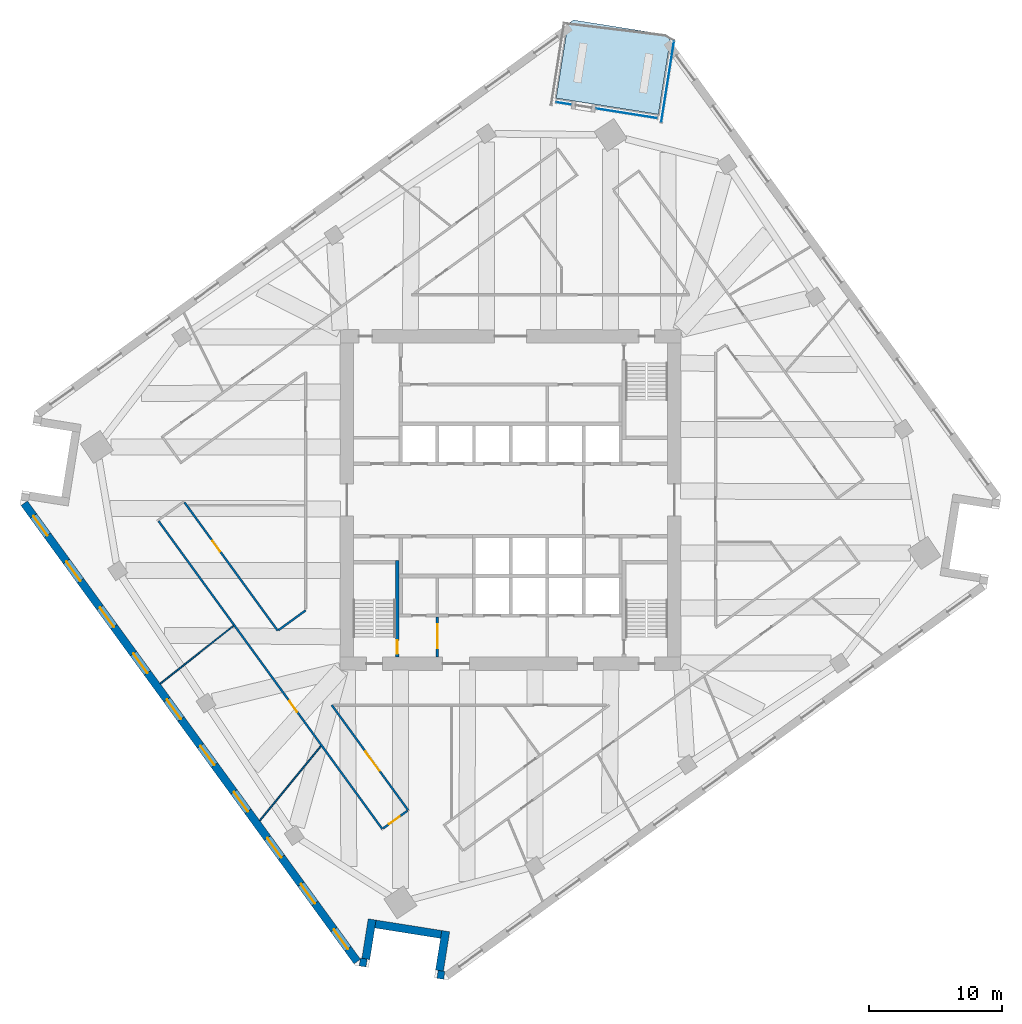
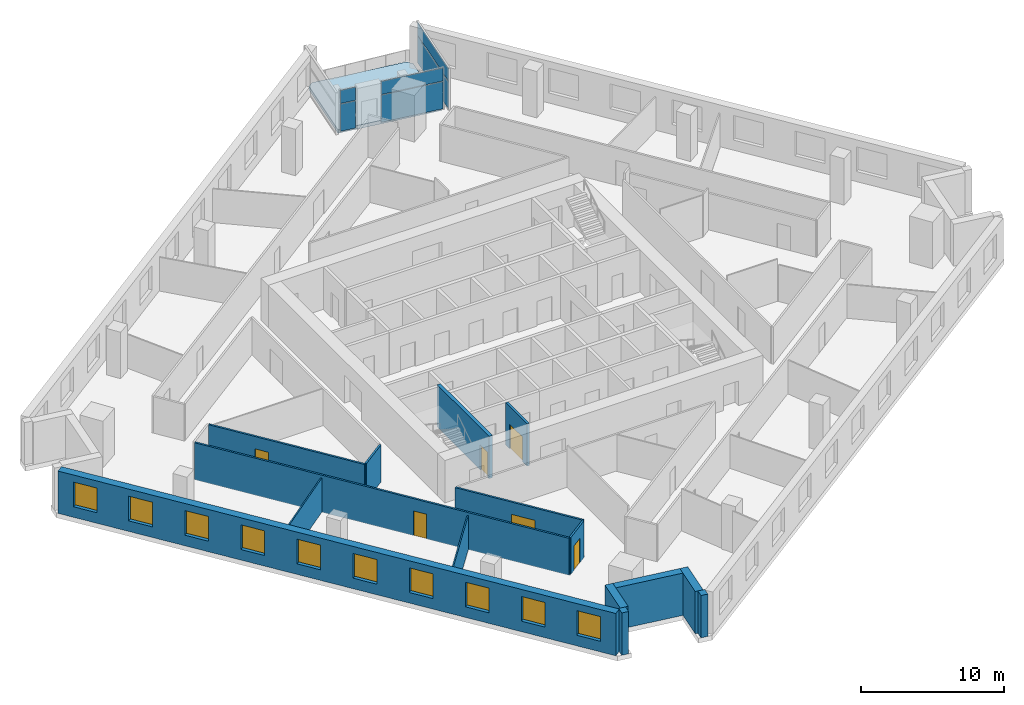
# One storey, part 4 of 11: 15 walls, 10 windows, 6 doors, 6 plates, 1 slab, 16 openings, 3 elements without a shape of their own.
"""IFC4 building model written with IfcOpenShell, lengths in metres."""

from ifc_helpers import new_model, si_unit, direction, frame, frame_2d, origin, origin_2d, place, context, subcontext, project, spatial, polyline, rectangle, outline, extrude, material, layer, layer_set, type_object, element, fill, aggregate, save


model = new_model("IFC4")

# Units and contexts
model_context = context("Model", 3, precision=1e-05, world=origin(), true_north=direction((0.0, 1.0)))
body_context = subcontext(model_context, "Body", "Model", "MODEL_VIEW")
ifc_project = project(units=[si_unit("LENGTHUNIT", "METRE"), si_unit("AREAUNIT", "SQUARE_METRE"), si_unit("VOLUMEUNIT", "CUBIC_METRE"), si_unit("PLANEANGLEUNIT", "RADIAN"), si_unit("MASSUNIT", "GRAM", prefix="KILO")], contexts=[model_context])

# Site, building, storey
site_placement = place(None, origin())
site = spatial("IfcSite", under=ifc_project, at=site_placement, CompositionType="ELEMENT")
building_placement = place(site_placement, origin())
building = spatial("IfcBuilding", under=site, at=building_placement, Name="Dilmun Exchange Tower", CompositionType="ELEMENT")
storey_placement = place(building_placement, frame((0.0, 0.0, 171.699951171875)))
storey = spatial("IfcBuildingStorey", under=building, at=storey_placement, Name="L40", CompositionType="ELEMENT", Elevation=171.699951171875)

# Curtain wall, plates
ifc_material_1 = material(Name="Anodised aluminium and clear glass", Category="aluminium")
curtain_wall_type = type_object("IfcCurtainWallType", Name="Garden corner glazing", PredefinedType="NOTDEFINED", material=ifc_material_1)
curtain_wall_1_placement = place(storey_placement, origin())
curtain_wall_1 = element("IfcCurtainWall", 1, at=curtain_wall_1_placement, inside=storey, type_object=curtain_wall_type, Name="Garden corner glazing run GC1.1", PredefinedType="NOTDEFINED")
ifc_material_2 = material(Name="Clear glass", Category="glass")
ifc_layer_1 = layer(ifc_material_2, 0.028076171875)
ifc_layer_set_1 = layer_set([ifc_layer_1], Name="Clear glass")
plate_type = type_object("IfcPlateType", Name="Garden corner glazing glass panel 28", PredefinedType="CURTAIN_PANEL", material=ifc_layer_set_1)
plate_1_placement = place(storey_placement, frame((11.79345703125, 31.410400390625, 0.06005859375), z_axis=(0.0, 0.0, 1.0), x_axis=(-0.15643936211, -0.987687564963, 0.0)))
plate_1 = element("IfcPlate", 2, at=plate_1_placement, type_object=plate_type, Name="GC1.1 panel 1.1", PredefinedType="CURTAIN_PANEL", context=body_context, shape_type="SweptSolid", body=[
    extrude(rectangle(XDim=6.12646484375, YDim=0.028076171875, at=origin_2d()), origin(), (0.0, 0.0, 1.0), 2.31005859375),
])
plate_2_placement = place(storey_placement, frame((11.79345703125, 31.410400390625, 2.43017578125), z_axis=(0.0, 0.0, 1.0), x_axis=(-0.15643936211, -0.987687564963, 0.0)))
plate_2 = element("IfcPlate", 3, at=plate_2_placement, type_object=plate_type, Name="GC1.1 panel 1.2", PredefinedType="CURTAIN_PANEL", context=body_context, shape_type="SweptSolid", body=[
    extrude(rectangle(XDim=6.12646484375, YDim=0.028076171875, at=origin_2d()), origin(), (0.0, 0.0, 1.0), 1.110107421875),
])
aggregate(curtain_wall_1, [plate_1, plate_2])

curtain_wall_2_placement = place(storey_placement, origin())
curtain_wall_2 = element("IfcCurtainWall", 4, at=curtain_wall_2_placement, inside=storey, type_object=curtain_wall_type, Name="Garden corner glazing run GC2.1", PredefinedType="NOTDEFINED")
plate_3_placement = place(storey_placement, frame((8.715087890625, 29.03955078125, 0.06005859375), z_axis=(0.0, 0.0, 1.0), x_axis=(-0.987690488636, 0.156420902238, 0.0)))
plate_3 = element("IfcPlate", 5, at=plate_3_placement, type_object=plate_type, Name="GC2.1 panel 1.1", PredefinedType="CURTAIN_PANEL", context=body_context, shape_type="SweptSolid", body=[
    extrude(rectangle(XDim=4.619140625, YDim=0.028076171875, at=origin_2d()), origin(), (0.0, 0.0, 1.0), 2.31005859375),
])
plate_4_placement = place(storey_placement, frame((8.715087890625, 29.03955078125, 2.43017578125), z_axis=(0.0, 0.0, 1.0), x_axis=(-0.987690488636, 0.156420902238, 0.0)))
plate_4 = element("IfcPlate", 6, at=plate_4_placement, type_object=plate_type, Name="GC2.1 panel 1.2", PredefinedType="CURTAIN_PANEL", context=body_context, shape_type="SweptSolid", body=[
    extrude(rectangle(XDim=4.619140625, YDim=0.028076171875, at=origin_2d()), origin(), (0.0, 0.0, 1.0), 1.110107421875),
])
aggregate(curtain_wall_2, [plate_3, plate_4])

curtain_wall_3_placement = place(storey_placement, origin())
curtain_wall_3 = element("IfcCurtainWall", 7, at=curtain_wall_3_placement, inside=storey, type_object=curtain_wall_type, Name="Garden corner glazing run GC2.3", PredefinedType="NOTDEFINED")
plate_5_placement = place(storey_placement, frame((3.985107421875, 29.78857421875, 0.06005859375), z_axis=(0.0, 0.0, 1.0), x_axis=(-0.987679719757, 0.156488885164, 0.0)))
plate_5 = element("IfcPlate", 8, at=plate_5_placement, type_object=plate_type, Name="GC2.3 panel 1.1", PredefinedType="CURTAIN_PANEL", context=body_context, shape_type="SweptSolid", body=[
    extrude(rectangle(XDim=1.119140625, YDim=0.028076171875, at=origin_2d()), origin(), (0.0, 0.0, 1.0), 2.31005859375),
])
plate_6_placement = place(storey_placement, frame((3.985107421875, 29.78857421875, 2.43017578125), z_axis=(0.0, 0.0, 1.0), x_axis=(-0.987679719757, 0.156488885164, 0.0)))
plate_6 = element("IfcPlate", 9, at=plate_6_placement, type_object=plate_type, Name="GC2.3 panel 1.2", PredefinedType="CURTAIN_PANEL", context=body_context, shape_type="SweptSolid", body=[
    extrude(rectangle(XDim=1.119140625, YDim=0.028076171875, at=origin_2d()), origin(), (0.0, 0.0, 1.0), 1.110107421875),
])
aggregate(curtain_wall_3, [plate_5, plate_6])

# Slab
ifc_material_3 = material(Name="Concrete C40/50", Category="concrete")
ifc_layer_2 = layer(ifc_material_3, 0.300048828125)
ifc_layer_set_2 = layer_set([ifc_layer_2], Name="Concrete C40/50")
slab_type = type_object("IfcSlabType", Name="RC garden terrace slab 300", PredefinedType="FLOOR", material=ifc_layer_set_2)
slab_placement = place(storey_placement, frame((0.0, 0.0, -0.300048828125)))
element("IfcSlab", 10, at=slab_placement, inside=storey, type_object=slab_type, Name="Garden terrace slab", PredefinedType="FLOOR", context=body_context, shape_type="SweptSolid", body=[
    extrude(outline(polyline([(3.420166015625, 30.181884765625), (4.303466796875, 35.7587890625), (4.7080078125, 36.052734375), (11.69189453125, 34.946533203125), (11.98583984375, 34.5419921875), (11.1025390625, 28.965087890625), (3.420166015625, 30.181884765625)])), origin(), (0.0, 0.0, 1.0), 0.300048828125),
])

# Wall, opening, door
ifc_layer_3 = layer(ifc_material_3, 0.199951171875)
ifc_layer_set_3 = layer_set([ifc_layer_3], Name="Concrete C40/50")
wall_type_1 = type_object("IfcWallType", Name="Core partition wall 200", PredefinedType="PARTITIONING", material=ifc_layer_set_3)
wall_1_placement = place(storey_placement, frame((-5.5, -11.794921875, 0.0), z_axis=(0.0, 0.0, 1.0), x_axis=(0.0, 1.0, 0.0)))
wall_1 = element("IfcWall", 11, at=wall_1_placement, inside=storey, type_object=wall_type_1, Name="L40 core partition wall 01", PredefinedType="PARTITIONING", context=body_context, shape_type="SweptSolid", body=[
    extrude(rectangle(XDim=2.989990234375, YDim=0.199951171875, at=frame_2d((1.4951171875, 0.0))), origin(), (0.0, 0.0, 1.0), 3.60009765625),
])
opening_1_placement = place(wall_1_placement, frame((0.657470703125, 0.0, 0.0)))
opening_1 = element("IfcOpeningElement", 12, at=opening_1_placement, cuts=wall_1, Name="Opening CD5", PredefinedType="OPENING", context=body_context, shape_type="SweptSolid", body=[
    extrude(rectangle(XDim=1.800048828125, YDim=2.10009765625, at=frame_2d((0.89990234375, 1.050048828125))), frame((0.0, 0.10986328125, 0.0), z_axis=(0.0, -1.0, 0.0), x_axis=(1.0, 0.0, 0.0)), (0.0, 0.0, 1.0), 0.219970703125),
])
ifc_material_4 = material(Name="Fire-rated steel door set", Category="steel")
door_type_1 = type_object("IfcDoorType", Name="Stair exit door 1800x2100", OperationType="SINGLE_SWING_LEFT", PredefinedType="DOOR", material=ifc_material_4)
door_1_placement = place(opening_1_placement, origin())
door_1 = element("IfcDoor", 13, at=door_1_placement, inside=storey, type_object=door_type_1, Name="L40 door Service lobby east", OperationType="SINGLE_SWING_LEFT", OverallHeight=2.10009765625, OverallWidth=1.800048828125, PredefinedType="DOOR", context=body_context, shape_type="SweptSolid", body=[
    extrude(rectangle(XDim=1.800048828125, YDim=2.10009765625, at=frame_2d((0.89990234375, 1.050048828125))), frame((0.0, 0.02490234375, 0.0), z_axis=(0.0, -1.0, 0.0), x_axis=(1.0, 0.0, 0.0)), (0.0, 0.0, 1.0), 0.050048828125),
])
fill(opening_1, door_1)

ifc_material_5 = material(Name="Corridor wall 150")
ifc_layer_4 = layer(ifc_material_5, 0.14990234375)
ifc_layer_set_4 = layer_set([ifc_layer_4], Name="Corridor wall 150")
wall_type_2 = type_object("IfcWallType", Name="Corridor wall 150", PredefinedType="PARTITIONING", material=ifc_layer_set_4)
wall_2_placement = place(storey_placement, frame((-26.43701171875, -1.588623046875, 0.0), z_axis=(0.0, 0.0, 1.0), x_axis=(0.587768879666, -0.809028889531, 0.0)))
wall_2 = element("IfcWall", 14, at=wall_2_placement, inside=storey, type_object=wall_type_2, Name="Corridor wall", PredefinedType="PARTITIONING", context=body_context, shape_type="SweptSolid", body=[
    extrude(rectangle(XDim=28.582763671875, YDim=0.14990234375, at=frame_2d((14.29150390625, 0.0))), origin(), (0.0, 0.0, 1.0), 3.150146484375),
])
opening_2_placement = place(wall_2_placement, frame((16.7109375, 0.0, 0.0)))
opening_2 = element("IfcOpeningElement", 15, at=opening_2_placement, cuts=wall_2, Name="Opening TF38-D03", PredefinedType="OPENING", context=body_context, shape_type="SweptSolid", body=[
    extrude(rectangle(XDim=1.0, YDim=2.10009765625, at=frame_2d((0.5, 1.050048828125))), frame((0.0, 0.0849609375, 0.0), z_axis=(0.0, -1.0, 0.0), x_axis=(1.0, 0.0, 0.0)), (0.0, 0.0, 1.0), 0.169921875),
])
ifc_material_6 = material(Name="Fire door 1000 x 2100")
door_type_2 = type_object("IfcDoorType", Name="Fire door 1000 x 2100", OperationType="NOTDEFINED", PredefinedType="DOOR", material=ifc_material_6)
door_2_placement = place(opening_2_placement, frame((1.0, 0.0, 0.0), z_axis=(0.0, 0.0, 1.0), x_axis=(-1.0, 0.0, 0.0)))
door_2 = element("IfcDoor", 16, at=door_2_placement, inside=storey, type_object=door_type_2, Name="Door TF38-D03", OperationType="SINGLE_SWING_LEFT", OverallHeight=2.10009765625, OverallWidth=1.0, PredefinedType="DOOR", context=body_context, shape_type="SweptSolid", body=[
    extrude(rectangle(XDim=1.0, YDim=2.10009765625, at=frame_2d((0.5, 1.050048828125))), frame((0.0, 0.02490234375, 0.0), z_axis=(0.0, -1.0, 0.0), x_axis=(1.0, 0.0, 0.0)), (0.0, 0.0, 1.0), 0.050048828125),
])
fill(opening_2, door_2)

wall_3_placement = place(storey_placement, frame((-24.494873046875, -0.1787109375, 0.0), z_axis=(0.0, 0.0, 1.0), x_axis=(0.587806096184, -0.809001849991, 0.0)))
wall_3 = element("IfcWall", 17, at=wall_3_placement, inside=storey, type_object=wall_type_2, Name="Corridor wall", PredefinedType="PARTITIONING", context=body_context, shape_type="SweptSolid", body=[
    extrude(rectangle(XDim=11.91357421875, YDim=0.14990234375, at=frame_2d((5.956787109375, 0.0))), origin(), (0.0, 0.0, 1.0), 3.150146484375),
])
opening_3_placement = place(wall_3_placement, frame((3.567626953125, 0.0, 0.0)))
opening_3 = element("IfcOpeningElement", 18, at=opening_3_placement, cuts=wall_3, Name="Opening TF38-D05", PredefinedType="OPENING", context=body_context, shape_type="SweptSolid", body=[
    extrude(rectangle(XDim=1.0, YDim=2.10009765625, at=frame_2d((0.5, 1.050048828125))), frame((0.0, 0.0849609375, 0.0), z_axis=(0.0, -1.0, 0.0), x_axis=(1.0, 0.0, 0.0)), (0.0, 0.0, 1.0), 0.169921875),
])
door_3_placement = place(opening_3_placement, origin())
door_3 = element("IfcDoor", 19, at=door_3_placement, inside=storey, type_object=door_type_2, Name="Door TF38-D05", OperationType="SINGLE_SWING_RIGHT", OverallHeight=2.10009765625, OverallWidth=1.0, PredefinedType="DOOR", context=body_context, shape_type="SweptSolid", body=[
    extrude(rectangle(XDim=1.0, YDim=2.10009765625, at=frame_2d((0.5, 1.050048828125))), frame((0.0, 0.02490234375, 0.0), z_axis=(0.0, -1.0, 0.0), x_axis=(1.0, 0.0, 0.0)), (0.0, 0.0, 1.0), 0.050048828125),
])
fill(opening_3, door_3)

# Wall
wall_4_placement = place(storey_placement, frame((-17.431396484375, -9.77294921875, 0.0), z_axis=(0.0, 0.0, 1.0), x_axis=(0.809042902641, 0.587749590971, 0.0)))
element("IfcWall", 20, at=wall_4_placement, inside=storey, type_object=wall_type_2, Name="Corridor wall", PredefinedType="PARTITIONING", context=body_context, shape_type="SweptSolid", body=[
    extrude(rectangle(XDim=2.510986328125, YDim=0.14990234375, at=frame_2d((1.25537109375, 0.0))), origin(), (0.0, 0.0, 1.0), 3.150146484375),
])

# Wall, opening, door
wall_5_placement = place(storey_placement, frame((-13.43603515625, -15.39990234375, 0.0), z_axis=(0.0, 0.0, 1.0), x_axis=(0.58776885963, -0.809028904088, 0.0)))
wall_5 = element("IfcWall", 21, at=wall_5_placement, inside=storey, type_object=wall_type_2, Name="Corridor wall", PredefinedType="PARTITIONING", context=body_context, shape_type="SweptSolid", body=[
    extrude(rectangle(XDim=9.767333984375, YDim=0.14990234375, at=frame_2d((4.8837890625, 0.0))), origin(), (0.0, 0.0, 1.0), 3.150146484375),
])
opening_4_placement = place(wall_5_placement, frame((4.300048828125, 0.0, 0.0)))
opening_4 = element("IfcOpeningElement", 22, at=opening_4_placement, cuts=wall_5, Name="Opening TF38-D07", PredefinedType="OPENING", context=body_context, shape_type="SweptSolid", body=[
    extrude(rectangle(XDim=1.800048828125, YDim=2.10009765625, at=frame_2d((0.89990234375, 1.050048828125))), frame((0.0, 0.0849609375, 0.0), z_axis=(0.0, -1.0, 0.0), x_axis=(1.0, 0.0, 0.0)), (0.0, 0.0, 1.0), 0.169921875),
])
ifc_material_7 = material(Name="Fire door pair 1800 x 2100")
door_type_3 = type_object("IfcDoorType", Name="Fire door pair 1800 x 2100", OperationType="NOTDEFINED", PredefinedType="DOOR", material=ifc_material_7)
door_4_placement = place(opening_4_placement, origin())
door_4 = element("IfcDoor", 23, at=door_4_placement, inside=storey, type_object=door_type_3, Name="Door TF38-D07", OperationType="DOUBLE_DOOR_SINGLE_SWING", OverallHeight=2.10009765625, OverallWidth=1.800048828125, PredefinedType="DOOR", context=body_context, shape_type="SweptSolid", body=[
    extrude(rectangle(XDim=1.800048828125, YDim=2.10009765625, at=frame_2d((0.89990234375, 1.050048828125))), frame((0.0, 0.02490234375, 0.0), z_axis=(0.0, -1.0, 0.0), x_axis=(1.0, 0.0, 0.0)), (0.0, 0.0, 1.0), 0.050048828125),
])
fill(opening_4, door_4)

wall_6_placement = place(storey_placement, frame((-9.576416015625, -24.6689453125, 0.0), z_axis=(0.0, 0.0, 1.0), x_axis=(0.809045580708, 0.587745904569, 0.0)))
wall_6 = element("IfcWall", 24, at=wall_6_placement, inside=storey, type_object=wall_type_2, Name="Corridor wall", PredefinedType="PARTITIONING", context=body_context, shape_type="SweptSolid", body=[
    extrude(rectangle(XDim=2.25048828125, YDim=0.14990234375, at=frame_2d((1.125244140625, 0.0))), origin(), (0.0, 0.0, 1.0), 3.150146484375),
])
opening_5_placement = place(wall_6_placement, frame((0.550048828125, 0.0, 0.0)))
opening_5 = element("IfcOpeningElement", 25, at=opening_5_placement, cuts=wall_6, Name="Opening TF38-D08", PredefinedType="OPENING", context=body_context, shape_type="SweptSolid", body=[
    extrude(rectangle(XDim=1.0, YDim=2.10009765625, at=frame_2d((0.5, 1.050048828125))), frame((0.0, 0.0849609375, 0.0), z_axis=(0.0, -1.0, 0.0), x_axis=(1.0, 0.0, 0.0)), (0.0, 0.0, 1.0), 0.169921875),
])
door_5_placement = place(opening_5_placement, frame((1.0, 0.0, 0.0), z_axis=(0.0, 0.0, 1.0), x_axis=(-1.0, 0.0, 0.0)))
door_5 = element("IfcDoor", 26, at=door_5_placement, inside=storey, type_object=door_type_2, Name="Door TF38-D08", OperationType="SINGLE_SWING_LEFT", OverallHeight=2.10009765625, OverallWidth=1.0, PredefinedType="DOOR", context=body_context, shape_type="SweptSolid", body=[
    extrude(rectangle(XDim=1.0, YDim=2.10009765625, at=frame_2d((0.5, 1.050048828125))), frame((0.0, 0.02490234375, 0.0), z_axis=(0.0, -1.0, 0.0), x_axis=(1.0, 0.0, 0.0)), (0.0, 0.0, 1.0), 0.050048828125),
])
fill(opening_5, door_5)

# Walls
ifc_material_8 = material(Name="Partition 100")
ifc_layer_5 = layer(ifc_material_8, 0.10009765625)
ifc_layer_set_5 = layer_set([ifc_layer_5], Name="Partition 100")
wall_type_3 = type_object("IfcWallType", Name="Partition 100", PredefinedType="PARTITIONING", material=ifc_layer_set_5)
wall_7_placement = place(storey_placement, frame((-26.3134765625, -13.79736328125, 0.0), z_axis=(0.0, 0.0, 1.0), x_axis=(0.784436491328, 0.620209151072, 0.0)))
element("IfcWall", 27, at=wall_7_placement, inside=storey, type_object=wall_type_3, Name="Partition", PredefinedType="PARTITIONING", context=body_context, shape_type="SweptSolid", body=[
    extrude(rectangle(XDim=7.0048828125, YDim=0.10009765625, at=frame_2d((3.50244140625, 0.0))), origin(), (0.0, 0.0, 1.0), 2.900146484375),
])
wall_8_placement = place(storey_placement, frame((-18.84228515625, -24.080810546875, 0.0), z_axis=(0.0, 0.0, 1.0), x_axis=(0.634911726152, 0.772584687911, 0.0)))
element("IfcWall", 28, at=wall_8_placement, inside=storey, type_object=wall_type_3, Name="Partition", PredefinedType="PARTITIONING", context=body_context, shape_type="SweptSolid", body=[
    extrude(rectangle(XDim=7.220947265625, YDim=0.10009765625, at=frame_2d((3.6103515625, 0.0))), origin(), (0.0, 0.0, 1.0), 2.900146484375),
])

# Wall, openings, windows
ifc_material_9 = material(Name="Precast concrete C50/60", Category="concrete")
ifc_layer_6 = layer(ifc_material_9, 0.60009765625)
ifc_layer_set_6 = layer_set([ifc_layer_6], Name="Precast concrete C50/60")
wall_type_4 = type_object("IfcWallType", Name="Precast stone-clad wall 600", PredefinedType="STANDARD", material=ifc_layer_set_6)
wall_9_placement = place(storey_placement, frame((-36.533447265625, -0.244873046875, 0.0), z_axis=(0.0, 0.0, 1.0), x_axis=(0.587787495615, -0.809015364501, 0.0)))
wall_9 = element("IfcWall", 29, at=wall_9_placement, inside=storey, type_object=wall_type_4, Name="Facade wall L40-09", PredefinedType="STANDARD", context=body_context, shape_type="SweptSolid", body=[
    extrude(rectangle(XDim=42.551513671875, YDim=0.60009765625, at=frame_2d((21.27587890625, 0.0))), origin(), (0.0, 0.0, 1.0), 3.60009765625),
])
opening_6_placement = place(wall_9_placement, frame((1.177978515625, 0.0, 0.89990234375)))
opening_6 = element("IfcOpeningElement", 30, at=opening_6_placement, cuts=wall_9, Name="Opening W180-210", PredefinedType="OPENING", context=body_context, shape_type="SweptSolid", body=[
    extrude(rectangle(XDim=1.800048828125, YDim=2.10009765625, at=frame_2d((0.89990234375, 1.050048828125))), frame((0.0, 0.31005859375, 0.0), z_axis=(0.0, -1.0, 0.0), x_axis=(1.0, 0.0, 0.0)), (0.0, 0.0, 1.0), 0.6201171875),
])
opening_7_placement = place(wall_9_placement, frame((5.395751953125, 0.0, 0.89990234375)))
opening_7 = element("IfcOpeningElement", 31, at=opening_7_placement, cuts=wall_9, Name="Opening W180-210", PredefinedType="OPENING", context=body_context, shape_type="SweptSolid", body=[
    extrude(rectangle(XDim=1.800048828125, YDim=2.10009765625, at=frame_2d((0.89990234375, 1.050048828125))), frame((0.0, 0.31005859375, 0.0), z_axis=(0.0, -1.0, 0.0), x_axis=(1.0, 0.0, 0.0)), (0.0, 0.0, 1.0), 0.6201171875),
])
opening_8_placement = place(wall_9_placement, frame((9.67578125, 0.0, 0.89990234375)))
opening_8 = element("IfcOpeningElement", 32, at=opening_8_placement, cuts=wall_9, Name="Opening W180-210", PredefinedType="OPENING", context=body_context, shape_type="SweptSolid", body=[
    extrude(rectangle(XDim=1.800048828125, YDim=2.10009765625, at=frame_2d((0.89990234375, 1.050048828125))), frame((0.0, 0.31005859375, 0.0), z_axis=(0.0, -1.0, 0.0), x_axis=(1.0, 0.0, 0.0)), (0.0, 0.0, 1.0), 0.6201171875),
])
opening_9_placement = place(wall_9_placement, frame((13.955810546875, 0.0, 0.89990234375)))
opening_9 = element("IfcOpeningElement", 33, at=opening_9_placement, cuts=wall_9, Name="Opening W180-210", PredefinedType="OPENING", context=body_context, shape_type="SweptSolid", body=[
    extrude(rectangle(XDim=1.800048828125, YDim=2.10009765625, at=frame_2d((0.89990234375, 1.050048828125))), frame((0.0, 0.31005859375, 0.0), z_axis=(0.0, -1.0, 0.0), x_axis=(1.0, 0.0, 0.0)), (0.0, 0.0, 1.0), 0.6201171875),
])
opening_10_placement = place(wall_9_placement, frame((18.235595703125, 0.0, 0.89990234375)))
opening_10 = element("IfcOpeningElement", 34, at=opening_10_placement, cuts=wall_9, Name="Opening W180-210", PredefinedType="OPENING", context=body_context, shape_type="SweptSolid", body=[
    extrude(rectangle(XDim=1.800048828125, YDim=2.10009765625, at=frame_2d((0.89990234375, 1.050048828125))), frame((0.0, 0.31005859375, 0.0), z_axis=(0.0, -1.0, 0.0), x_axis=(1.0, 0.0, 0.0)), (0.0, 0.0, 1.0), 0.6201171875),
])
opening_11_placement = place(wall_9_placement, frame((22.515625, 0.0, 0.89990234375)))
opening_11 = element("IfcOpeningElement", 35, at=opening_11_placement, cuts=wall_9, Name="Opening W180-210", PredefinedType="OPENING", context=body_context, shape_type="SweptSolid", body=[
    extrude(rectangle(XDim=1.800048828125, YDim=2.10009765625, at=frame_2d((0.89990234375, 1.050048828125))), frame((0.0, 0.31005859375, 0.0), z_axis=(0.0, -1.0, 0.0), x_axis=(1.0, 0.0, 0.0)), (0.0, 0.0, 1.0), 0.6201171875),
])
opening_12_placement = place(wall_9_placement, frame((26.795654296875, 0.0, 0.89990234375)))
opening_12 = element("IfcOpeningElement", 36, at=opening_12_placement, cuts=wall_9, Name="Opening W180-210", PredefinedType="OPENING", context=body_context, shape_type="SweptSolid", body=[
    extrude(rectangle(XDim=1.800048828125, YDim=2.10009765625, at=frame_2d((0.89990234375, 1.050048828125))), frame((0.0, 0.31005859375, 0.0), z_axis=(0.0, -1.0, 0.0), x_axis=(1.0, 0.0, 0.0)), (0.0, 0.0, 1.0), 0.6201171875),
])
opening_13_placement = place(wall_9_placement, frame((31.07568359375, 0.0, 0.89990234375)))
opening_13 = element("IfcOpeningElement", 37, at=opening_13_placement, cuts=wall_9, Name="Opening W180-210", PredefinedType="OPENING", context=body_context, shape_type="SweptSolid", body=[
    extrude(rectangle(XDim=1.800048828125, YDim=2.10009765625, at=frame_2d((0.89990234375, 1.050048828125))), frame((0.0, 0.31005859375, 0.0), z_axis=(0.0, -1.0, 0.0), x_axis=(1.0, 0.0, 0.0)), (0.0, 0.0, 1.0), 0.6201171875),
])
opening_14_placement = place(wall_9_placement, frame((35.355712890625, 0.0, 0.89990234375)))
opening_14 = element("IfcOpeningElement", 38, at=opening_14_placement, cuts=wall_9, Name="Opening W180-210", PredefinedType="OPENING", context=body_context, shape_type="SweptSolid", body=[
    extrude(rectangle(XDim=1.800048828125, YDim=2.10009765625, at=frame_2d((0.89990234375, 1.050048828125))), frame((0.0, 0.31005859375, 0.0), z_axis=(0.0, -1.0, 0.0), x_axis=(1.0, 0.0, 0.0)), (0.0, 0.0, 1.0), 0.6201171875),
])
opening_15_placement = place(wall_9_placement, frame((39.573486328125, 0.0, 0.89990234375)))
opening_15 = element("IfcOpeningElement", 39, at=opening_15_placement, cuts=wall_9, Name="Opening W180-210", PredefinedType="OPENING", context=body_context, shape_type="SweptSolid", body=[
    extrude(rectangle(XDim=1.800048828125, YDim=2.10009765625, at=frame_2d((0.89990234375, 1.050048828125))), frame((0.0, 0.31005859375, 0.0), z_axis=(0.0, -1.0, 0.0), x_axis=(1.0, 0.0, 0.0)), (0.0, 0.0, 1.0), 0.6201171875),
])
ifc_material_10 = material(Name="Clear low-emissivity glass in aluminium frame", Category="aluminium")
window_type = type_object("IfcWindowType", Name="Punched window 1800 x 2100", PartitioningType="DOUBLE_PANEL_VERTICAL", PredefinedType="WINDOW", material=ifc_material_10)
window_1_placement = place(opening_6_placement, origin())
window_1 = element("IfcWindow", 40, at=window_1_placement, inside=storey, type_object=window_type, Name="Window 10.1", OverallHeight=2.10009765625, OverallWidth=1.800048828125, PartitioningType="SINGLE_PANEL", PredefinedType="WINDOW", context=body_context, shape_type="SweptSolid", body=[
    extrude(rectangle(XDim=1.800048828125, YDim=2.10009765625, at=frame_2d((0.89990234375, 1.050048828125))), frame((0.0, 0.030029296875, 0.0), z_axis=(0.0, -1.0, 0.0), x_axis=(1.0, 0.0, 0.0)), (0.0, 0.0, 1.0), 0.06005859375),
])
fill(opening_6, window_1)
window_2_placement = place(opening_7_placement, origin())
window_2 = element("IfcWindow", 41, at=window_2_placement, inside=storey, type_object=window_type, Name="Window 10.2", OverallHeight=2.10009765625, OverallWidth=1.800048828125, PartitioningType="SINGLE_PANEL", PredefinedType="WINDOW", context=body_context, shape_type="SweptSolid", body=[
    extrude(rectangle(XDim=1.800048828125, YDim=2.10009765625, at=frame_2d((0.89990234375, 1.050048828125))), frame((0.0, 0.030029296875, 0.0), z_axis=(0.0, -1.0, 0.0), x_axis=(1.0, 0.0, 0.0)), (0.0, 0.0, 1.0), 0.06005859375),
])
fill(opening_7, window_2)
window_3_placement = place(opening_8_placement, origin())
window_3 = element("IfcWindow", 42, at=window_3_placement, inside=storey, type_object=window_type, Name="Window 10.3", OverallHeight=2.10009765625, OverallWidth=1.800048828125, PartitioningType="SINGLE_PANEL", PredefinedType="WINDOW", context=body_context, shape_type="SweptSolid", body=[
    extrude(rectangle(XDim=1.800048828125, YDim=2.10009765625, at=frame_2d((0.89990234375, 1.050048828125))), frame((0.0, 0.030029296875, 0.0), z_axis=(0.0, -1.0, 0.0), x_axis=(1.0, 0.0, 0.0)), (0.0, 0.0, 1.0), 0.06005859375),
])
fill(opening_8, window_3)
window_4_placement = place(opening_9_placement, origin())
window_4 = element("IfcWindow", 43, at=window_4_placement, inside=storey, type_object=window_type, Name="Window 10.4", OverallHeight=2.10009765625, OverallWidth=1.800048828125, PartitioningType="SINGLE_PANEL", PredefinedType="WINDOW", context=body_context, shape_type="SweptSolid", body=[
    extrude(rectangle(XDim=1.800048828125, YDim=2.10009765625, at=frame_2d((0.89990234375, 1.050048828125))), frame((0.0, 0.030029296875, 0.0), z_axis=(0.0, -1.0, 0.0), x_axis=(1.0, 0.0, 0.0)), (0.0, 0.0, 1.0), 0.06005859375),
])
fill(opening_9, window_4)
window_5_placement = place(opening_10_placement, origin())
window_5 = element("IfcWindow", 44, at=window_5_placement, inside=storey, type_object=window_type, Name="Window 10.5", OverallHeight=2.10009765625, OverallWidth=1.800048828125, PartitioningType="SINGLE_PANEL", PredefinedType="WINDOW", context=body_context, shape_type="SweptSolid", body=[
    extrude(rectangle(XDim=1.800048828125, YDim=2.10009765625, at=frame_2d((0.89990234375, 1.050048828125))), frame((0.0, 0.030029296875, 0.0), z_axis=(0.0, -1.0, 0.0), x_axis=(1.0, 0.0, 0.0)), (0.0, 0.0, 1.0), 0.06005859375),
])
fill(opening_10, window_5)
window_6_placement = place(opening_11_placement, origin())
window_6 = element("IfcWindow", 45, at=window_6_placement, inside=storey, type_object=window_type, Name="Window 10.6", OverallHeight=2.10009765625, OverallWidth=1.800048828125, PartitioningType="SINGLE_PANEL", PredefinedType="WINDOW", context=body_context, shape_type="SweptSolid", body=[
    extrude(rectangle(XDim=1.800048828125, YDim=2.10009765625, at=frame_2d((0.89990234375, 1.050048828125))), frame((0.0, 0.030029296875, 0.0), z_axis=(0.0, -1.0, 0.0), x_axis=(1.0, 0.0, 0.0)), (0.0, 0.0, 1.0), 0.06005859375),
])
fill(opening_11, window_6)
window_7_placement = place(opening_12_placement, origin())
window_7 = element("IfcWindow", 46, at=window_7_placement, inside=storey, type_object=window_type, Name="Window 10.7", OverallHeight=2.10009765625, OverallWidth=1.800048828125, PartitioningType="SINGLE_PANEL", PredefinedType="WINDOW", context=body_context, shape_type="SweptSolid", body=[
    extrude(rectangle(XDim=1.800048828125, YDim=2.10009765625, at=frame_2d((0.89990234375, 1.050048828125))), frame((0.0, 0.030029296875, 0.0), z_axis=(0.0, -1.0, 0.0), x_axis=(1.0, 0.0, 0.0)), (0.0, 0.0, 1.0), 0.06005859375),
])
fill(opening_12, window_7)
window_8_placement = place(opening_13_placement, origin())
window_8 = element("IfcWindow", 47, at=window_8_placement, inside=storey, type_object=window_type, Name="Window 10.8", OverallHeight=2.10009765625, OverallWidth=1.800048828125, PartitioningType="SINGLE_PANEL", PredefinedType="WINDOW", context=body_context, shape_type="SweptSolid", body=[
    extrude(rectangle(XDim=1.800048828125, YDim=2.10009765625, at=frame_2d((0.89990234375, 1.050048828125))), frame((0.0, 0.030029296875, 0.0), z_axis=(0.0, -1.0, 0.0), x_axis=(1.0, 0.0, 0.0)), (0.0, 0.0, 1.0), 0.06005859375),
])
fill(opening_13, window_8)
window_9_placement = place(opening_14_placement, origin())
window_9 = element("IfcWindow", 48, at=window_9_placement, inside=storey, type_object=window_type, Name="Window 10.9", OverallHeight=2.10009765625, OverallWidth=1.800048828125, PartitioningType="SINGLE_PANEL", PredefinedType="WINDOW", context=body_context, shape_type="SweptSolid", body=[
    extrude(rectangle(XDim=1.800048828125, YDim=2.10009765625, at=frame_2d((0.89990234375, 1.050048828125))), frame((0.0, 0.030029296875, 0.0), z_axis=(0.0, -1.0, 0.0), x_axis=(1.0, 0.0, 0.0)), (0.0, 0.0, 1.0), 0.06005859375),
])
fill(opening_14, window_9)
window_10_placement = place(opening_15_placement, origin())
window_10 = element("IfcWindow", 49, at=window_10_placement, inside=storey, type_object=window_type, Name="Window 10.10", OverallHeight=2.10009765625, OverallWidth=1.800048828125, PartitioningType="SINGLE_PANEL", PredefinedType="WINDOW", context=body_context, shape_type="SweptSolid", body=[
    extrude(rectangle(XDim=1.800048828125, YDim=2.10009765625, at=frame_2d((0.89990234375, 1.050048828125))), frame((0.0, 0.030029296875, 0.0), z_axis=(0.0, -1.0, 0.0), x_axis=(1.0, 0.0, 0.0)), (0.0, 0.0, 1.0), 0.06005859375),
])
fill(opening_15, window_10)

# Walls
wall_10_placement = place(storey_placement, frame((-11.32470703125, -34.700927734375, 0.0), z_axis=(0.0, 0.0, 1.0), x_axis=(0.987666012258, -0.156575375554, 0.0)))
element("IfcWall", 50, at=wall_10_placement, inside=storey, type_object=wall_type_4, Name="Facade wall L40-10", PredefinedType="STANDARD", context=body_context, shape_type="SweptSolid", body=[
    extrude(rectangle(XDim=0.511474609375, YDim=0.60009765625, at=frame_2d((0.255859375, 0.0))), origin(), (0.0, 0.0, 1.0), 3.60009765625),
])
wall_11_placement = place(storey_placement, frame((-10.87158203125, -34.468994140625, 0.0), z_axis=(0.0, 0.0, 1.0), x_axis=(0.156409699997, 0.987692262674, 0.0)))
element("IfcWall", 51, at=wall_11_placement, inside=storey, type_object=wall_type_4, Name="Facade wall L40-11", PredefinedType="STANDARD", context=body_context, shape_type="SweptSolid", body=[
    extrude(rectangle(XDim=3.0, YDim=0.60009765625, at=frame_2d((1.5, 0.0))), origin(), (0.0, 0.0, 1.0), 3.60009765625),
])
wall_12_placement = place(storey_placement, frame((-10.15283203125, -31.84912109375, 0.0), z_axis=(0.0, 0.0, 1.0), x_axis=(0.987686835152, -0.156443969736, 0.0)))
element("IfcWall", 52, at=wall_12_placement, inside=storey, type_object=wall_type_4, Name="Facade wall L40-12", PredefinedType="STANDARD", context=body_context, shape_type="SweptSolid", body=[
    extrude(rectangle(XDim=5.0, YDim=0.60009765625, at=frame_2d((2.5, 0.0))), origin(), (0.0, 0.0, 1.0), 3.60009765625),
])
wall_13_placement = place(storey_placement, frame((-4.87109375, -32.3818359375, 0.0), z_axis=(0.0, 0.0, 1.0), x_axis=(-0.156489086251, -0.987679687897, 0.0)))
element("IfcWall", 53, at=wall_13_placement, inside=storey, type_object=wall_type_4, Name="Facade wall L40-13", PredefinedType="STANDARD", context=body_context, shape_type="SweptSolid", body=[
    extrude(rectangle(XDim=3.0, YDim=0.60009765625, at=frame_2d((1.5, 0.0))), origin(), (0.0, 0.0, 1.0), 3.60009765625),
])
wall_14_placement = place(storey_placement, frame((-5.486083984375, -35.625732421875, 0.0), z_axis=(0.0, 0.0, 1.0), x_axis=(0.987728086963, -0.156183309689, 0.0)))
element("IfcWall", 54, at=wall_14_placement, inside=storey, type_object=wall_type_4, Name="Facade wall L40-14", PredefinedType="STANDARD", context=body_context, shape_type="SweptSolid", body=[
    extrude(rectangle(XDim=0.51123046875, YDim=0.60009765625, at=frame_2d((0.255615234375, 0.0))), origin(), (0.0, 0.0, 1.0), 3.60009765625),
])

# Wall, opening, door
ifc_layer_7 = layer(ifc_material_3, 0.27490234375)
ifc_layer_set_7 = layer_set([ifc_layer_7], Name="Concrete C40/50")
wall_type_5 = type_object("IfcWallType", Name="Stair wall 275", PredefinedType="SOLIDWALL", material=ifc_layer_set_7)
wall_15_placement = place(storey_placement, frame((-8.512451171875, -4.550048828125, 0.0), z_axis=(0.0, 0.0, 1.0), x_axis=(0.0, -1.0, 0.0)))
wall_15 = element("IfcWall", 55, at=wall_15_placement, inside=storey, type_object=wall_type_5, Name="L40 ST2 wall to lift block", PredefinedType="SOLIDWALL", context=body_context, shape_type="SweptSolid", body=[
    extrude(rectangle(XDim=7.25, YDim=0.27490234375, at=frame_2d((3.625, 0.0))), origin(), (0.0, 0.0, 1.0), 3.60009765625),
])
opening_16_placement = place(wall_15_placement, frame((6.0, 0.0, 0.0)))
opening_16 = element("IfcOpeningElement", 56, at=opening_16_placement, cuts=wall_15, Name="Opening CD4", PredefinedType="OPENING", context=body_context, shape_type="SweptSolid", body=[
    extrude(rectangle(XDim=1.0, YDim=2.10009765625, at=frame_2d((0.5, 1.050048828125))), frame((0.0, 0.1474609375, 0.0), z_axis=(0.0, -1.0, 0.0), x_axis=(1.0, 0.0, 0.0)), (0.0, 0.0, 1.0), 0.294921875),
])
door_type_4 = type_object("IfcDoorType", Name="Core room door 1000x2100", OperationType="SINGLE_SWING_LEFT", PredefinedType="DOOR", material=ifc_material_4)
door_6_placement = place(opening_16_placement, origin())
door_6 = element("IfcDoor", 57, at=door_6_placement, inside=storey, type_object=door_type_4, Name="L40 door ST2 from lobby", OperationType="SINGLE_SWING_LEFT", OverallHeight=2.10009765625, OverallWidth=1.0, PredefinedType="DOOR", context=body_context, shape_type="SweptSolid", body=[
    extrude(rectangle(XDim=1.0, YDim=2.10009765625, at=frame_2d((0.5, 1.050048828125))), frame((0.0, 0.02490234375, 0.0), z_axis=(0.0, -1.0, 0.0), x_axis=(1.0, 0.0, 0.0)), (0.0, 0.0, 1.0), 0.050048828125),
])
fill(opening_16, door_6)

save(model, "model.ifc")
